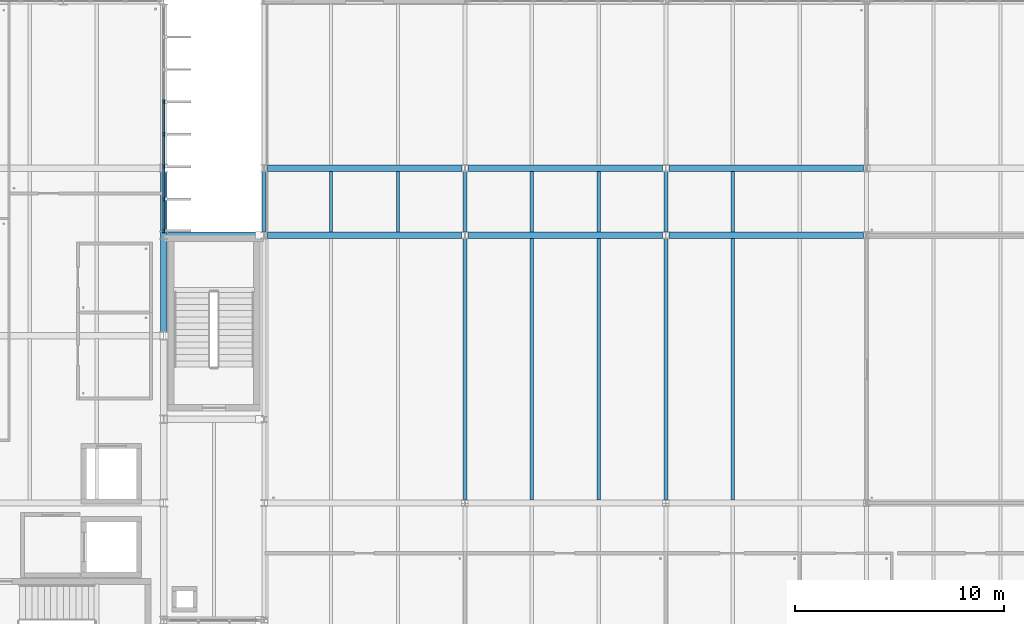
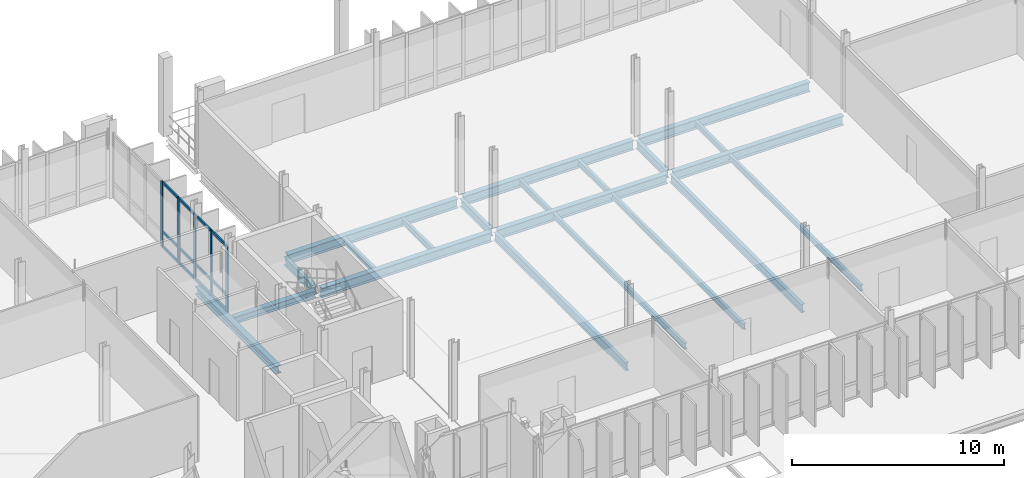
# One storey, part 21 of 107: 21 beams, 17 members, 1 element without a shape of its own.
"""IFC4 building model written with IfcOpenShell, lengths in metres."""

from ifc_helpers import new_model, si_unit, direction, frame, origin, origin_2d, place, context, subcontext, project, spatial, rectangle, i_section, extrude, material, material_profile, profile_set, type_object, element, aggregate, save


model = new_model("IFC4")

# Units and contexts
model_context = context("Model", 3, precision=1e-05, world=origin(), true_north=direction((0.0, 1.0)))
body_context = subcontext(model_context, "Body", "Model", "MODEL_VIEW")
ifc_project = project(units=[si_unit("LENGTHUNIT", "METRE"), si_unit("AREAUNIT", "SQUARE_METRE"), si_unit("VOLUMEUNIT", "CUBIC_METRE"), si_unit("PLANEANGLEUNIT", "RADIAN"), si_unit("MASSUNIT", "GRAM", prefix="KILO")], contexts=[model_context])

# Site, building, storey
site_placement = place(None, origin())
site = spatial("IfcSite", under=ifc_project, at=site_placement, CompositionType="ELEMENT")
building_placement = place(site_placement, origin())
building = spatial("IfcBuilding", under=site, at=building_placement, Name="Dunescarp Central Library", CompositionType="ELEMENT")
storey_placement = place(building_placement, frame((0.0, 0.0, 5.10009765625)))
storey = spatial("IfcBuildingStorey", under=building, at=storey_placement, Name="L01", CompositionType="ELEMENT", Elevation=5.10009765625)

# Curtain wall, members
ifc_material_1 = material(Name="Marine-grade anodised aluminium 6063-T6", Category="aluminium")
curtain_wall_type = type_object("IfcCurtainWallType", Name="ARC-CW-STICK", PredefinedType="NOTDEFINED", material=ifc_material_1)
curtain_wall_placement = place(storey_placement, origin())
curtain_wall = element("IfcCurtainWall", 1, at=curtain_wall_placement, inside=storey, type_object=curtain_wall_type, Name="L01 curtain wall CW-V1-011", PredefinedType="NOTDEFINED")
ifc_material_profile_1 = material_profile(ifc_material_1, rectangle(XDim=0.080078125, YDim=0.179931640625, at=origin_2d()), Name="AL 80x180")
ifc_profile_set_1 = profile_set([ifc_material_profile_1], Name="Marine-grade anodised aluminium 6063-T6")
member_type_1 = type_object("IfcMemberType", Name="ARC-CWM-180", PredefinedType="MULLION", material=ifc_profile_set_1)
member_1_placement = place(storey_placement, frame((33.60009765625, 31.97509765625, 0.0), z_axis=(0.0, 0.0, 1.0), x_axis=(1.0, 0.0, 0.0)))
member_1 = element("IfcMember", 2, at=member_1_placement, type_object=member_type_1, Name="CW-V1-011 mullion 4", PredefinedType="MULLION", context=body_context, shape_type="SweptSolid", body=[
    extrude(rectangle(XDim=0.080078125, YDim=0.179931640625, at=origin_2d()), origin(), (0.0, 0.0, 1.0), 3.764892578125),
])
member_2_placement = place(storey_placement, frame((33.60009765625, 30.425048828125, 0.0), z_axis=(0.0, 0.0, 1.0), x_axis=(1.0, 0.0, 0.0)))
member_2 = element("IfcMember", 3, at=member_2_placement, type_object=member_type_1, Name="CW-V1-011 mullion 5", PredefinedType="MULLION", context=body_context, shape_type="SweptSolid", body=[
    extrude(rectangle(XDim=0.080078125, YDim=0.179931640625, at=origin_2d()), origin(), (0.0, 0.0, 1.0), 3.764892578125),
])
member_3_placement = place(storey_placement, frame((33.60009765625, 28.875, 0.0), z_axis=(0.0, 0.0, 1.0), x_axis=(1.0, 0.0, 0.0)))
member_3 = element("IfcMember", 4, at=member_3_placement, type_object=member_type_1, Name="CW-V1-011 mullion 6", PredefinedType="MULLION", context=body_context, shape_type="SweptSolid", body=[
    extrude(rectangle(XDim=0.080078125, YDim=0.179931640625, at=origin_2d()), origin(), (0.0, 0.0, 1.0), 3.764892578125),
])
member_4_placement = place(storey_placement, frame((33.60009765625, 27.324951171875, 0.0), z_axis=(0.0, 0.0, 1.0), x_axis=(1.0, 0.0, 0.0)))
member_4 = element("IfcMember", 5, at=member_4_placement, type_object=member_type_1, Name="CW-V1-011 mullion 7", PredefinedType="MULLION", context=body_context, shape_type="SweptSolid", body=[
    extrude(rectangle(XDim=0.080078125, YDim=0.179931640625, at=origin_2d()), origin(), (0.0, 0.0, 1.0), 3.764892578125),
])
member_5_placement = place(storey_placement, frame((33.60009765625, 25.81494140625, 0.0), z_axis=(0.0, 0.0, 1.0), x_axis=(1.0, 0.0, 0.0)))
member_5 = element("IfcMember", 6, at=member_5_placement, type_object=member_type_1, Name="CW-V1-011 mullion 8", PredefinedType="MULLION", context=body_context, shape_type="SweptSolid", body=[
    extrude(rectangle(XDim=0.080078125, YDim=0.179931640625, at=origin_2d()), origin(), (0.0, 0.0, 1.0), 3.764892578125),
])
ifc_material_profile_2 = material_profile(ifc_material_1, rectangle(XDim=0.080078125, YDim=0.14990234375, at=origin_2d()), Name="AL 80x150")
ifc_profile_set_2 = profile_set([ifc_material_profile_2], Name="Marine-grade anodised aluminium 6063-T6")
member_type_2 = type_object("IfcMemberType", Name="ARC-CWT-150", PredefinedType="USERDEFINED", material=ifc_profile_set_2)
member_6_placement = place(storey_placement, frame((33.60009765625, 31.93505859375, 0.039794921875), z_axis=(0.0, -1.0, 0.0), x_axis=(1.0, 0.0, 0.0)))
member_6 = element("IfcMember", 7, at=member_6_placement, type_object=member_type_2, Name="CW-V1-011 transom 4.1", ObjectType="TRANSOM", PredefinedType="USERDEFINED", context=body_context, shape_type="SweptSolid", body=[
    extrude(rectangle(XDim=0.080078125, YDim=0.14990234375, at=origin_2d()), origin(), (0.0, 0.0, 1.0), 1.469970703125),
])
member_7_placement = place(storey_placement, frame((33.60009765625, 31.93505859375, 0.89990234375), z_axis=(0.0, -1.0, 0.0), x_axis=(1.0, 0.0, 0.0)))
member_7 = element("IfcMember", 8, at=member_7_placement, type_object=member_type_2, Name="CW-V1-011 transom 4.2", ObjectType="TRANSOM", PredefinedType="USERDEFINED", context=body_context, shape_type="SweptSolid", body=[
    extrude(rectangle(XDim=0.080078125, YDim=0.14990234375, at=origin_2d()), origin(), (0.0, 0.0, 1.0), 1.469970703125),
])
member_8_placement = place(storey_placement, frame((33.60009765625, 31.93505859375, 3.724853515625), z_axis=(0.0, -1.0, 0.0), x_axis=(1.0, 0.0, 0.0)))
member_8 = element("IfcMember", 9, at=member_8_placement, type_object=member_type_2, Name="CW-V1-011 transom 4.3", ObjectType="TRANSOM", PredefinedType="USERDEFINED", context=body_context, shape_type="SweptSolid", body=[
    extrude(rectangle(XDim=0.080078125, YDim=0.14990234375, at=origin_2d()), origin(), (0.0, 0.0, 1.0), 1.469970703125),
])
member_9_placement = place(storey_placement, frame((33.60009765625, 30.385009765625, 0.039794921875), z_axis=(0.0, -1.0, 0.0), x_axis=(1.0, 0.0, 0.0)))
member_9 = element("IfcMember", 10, at=member_9_placement, type_object=member_type_2, Name="CW-V1-011 transom 5.1", ObjectType="TRANSOM", PredefinedType="USERDEFINED", context=body_context, shape_type="SweptSolid", body=[
    extrude(rectangle(XDim=0.080078125, YDim=0.14990234375, at=origin_2d()), origin(), (0.0, 0.0, 1.0), 1.469970703125),
])
member_10_placement = place(storey_placement, frame((33.60009765625, 30.385009765625, 0.89990234375), z_axis=(0.0, -1.0, 0.0), x_axis=(1.0, 0.0, 0.0)))
member_10 = element("IfcMember", 11, at=member_10_placement, type_object=member_type_2, Name="CW-V1-011 transom 5.2", ObjectType="TRANSOM", PredefinedType="USERDEFINED", context=body_context, shape_type="SweptSolid", body=[
    extrude(rectangle(XDim=0.080078125, YDim=0.14990234375, at=origin_2d()), origin(), (0.0, 0.0, 1.0), 1.469970703125),
])
member_11_placement = place(storey_placement, frame((33.60009765625, 30.385009765625, 3.724853515625), z_axis=(0.0, -1.0, 0.0), x_axis=(1.0, 0.0, 0.0)))
member_11 = element("IfcMember", 12, at=member_11_placement, type_object=member_type_2, Name="CW-V1-011 transom 5.3", ObjectType="TRANSOM", PredefinedType="USERDEFINED", context=body_context, shape_type="SweptSolid", body=[
    extrude(rectangle(XDim=0.080078125, YDim=0.14990234375, at=origin_2d()), origin(), (0.0, 0.0, 1.0), 1.469970703125),
])
member_12_placement = place(storey_placement, frame((33.60009765625, 28.8349609375, 0.039794921875), z_axis=(0.0, -1.0, 0.0), x_axis=(1.0, 0.0, 0.0)))
member_12 = element("IfcMember", 13, at=member_12_placement, type_object=member_type_2, Name="CW-V1-011 transom 6.1", ObjectType="TRANSOM", PredefinedType="USERDEFINED", context=body_context, shape_type="SweptSolid", body=[
    extrude(rectangle(XDim=0.080078125, YDim=0.14990234375, at=origin_2d()), origin(), (0.0, 0.0, 1.0), 1.469970703125),
])
member_13_placement = place(storey_placement, frame((33.60009765625, 28.8349609375, 0.89990234375), z_axis=(0.0, -1.0, 0.0), x_axis=(1.0, 0.0, 0.0)))
member_13 = element("IfcMember", 14, at=member_13_placement, type_object=member_type_2, Name="CW-V1-011 transom 6.2", ObjectType="TRANSOM", PredefinedType="USERDEFINED", context=body_context, shape_type="SweptSolid", body=[
    extrude(rectangle(XDim=0.080078125, YDim=0.14990234375, at=origin_2d()), origin(), (0.0, 0.0, 1.0), 1.469970703125),
])
member_14_placement = place(storey_placement, frame((33.60009765625, 28.8349609375, 3.724853515625), z_axis=(0.0, -1.0, 0.0), x_axis=(1.0, 0.0, 0.0)))
member_14 = element("IfcMember", 15, at=member_14_placement, type_object=member_type_2, Name="CW-V1-011 transom 6.3", ObjectType="TRANSOM", PredefinedType="USERDEFINED", context=body_context, shape_type="SweptSolid", body=[
    extrude(rectangle(XDim=0.080078125, YDim=0.14990234375, at=origin_2d()), origin(), (0.0, 0.0, 1.0), 1.469970703125),
])
member_15_placement = place(storey_placement, frame((33.60009765625, 27.284912109375, 0.039794921875), z_axis=(0.0, -1.0, 0.0), x_axis=(1.0, 0.0, 0.0)))
member_15 = element("IfcMember", 16, at=member_15_placement, type_object=member_type_2, Name="CW-V1-011 transom 7.1", ObjectType="TRANSOM", PredefinedType="USERDEFINED", context=body_context, shape_type="SweptSolid", body=[
    extrude(rectangle(XDim=0.080078125, YDim=0.14990234375, at=origin_2d()), origin(), (0.0, 0.0, 1.0), 1.429931640625),
])
member_16_placement = place(storey_placement, frame((33.60009765625, 27.284912109375, 0.89990234375), z_axis=(0.0, -1.0, 0.0), x_axis=(1.0, 0.0, 0.0)))
member_16 = element("IfcMember", 17, at=member_16_placement, type_object=member_type_2, Name="CW-V1-011 transom 7.2", ObjectType="TRANSOM", PredefinedType="USERDEFINED", context=body_context, shape_type="SweptSolid", body=[
    extrude(rectangle(XDim=0.080078125, YDim=0.14990234375, at=origin_2d()), origin(), (0.0, 0.0, 1.0), 1.429931640625),
])
member_17_placement = place(storey_placement, frame((33.60009765625, 27.284912109375, 3.724853515625), z_axis=(0.0, -1.0, 0.0), x_axis=(1.0, 0.0, 0.0)))
member_17 = element("IfcMember", 18, at=member_17_placement, type_object=member_type_2, Name="CW-V1-011 transom 7.3", ObjectType="TRANSOM", PredefinedType="USERDEFINED", context=body_context, shape_type="SweptSolid", body=[
    extrude(rectangle(XDim=0.080078125, YDim=0.14990234375, at=origin_2d()), origin(), (0.0, 0.0, 1.0), 1.429931640625),
])
aggregate(curtain_wall, [member_1, member_2, member_3, member_4, member_5, member_6, member_7, member_8, member_9, member_10, member_11, member_12, member_13, member_14, member_15, member_16, member_17])

# Beams
ifc_material_2 = material(Name="Steel S355JR", Category="steel")
ifc_material_profile_3 = material_profile(ifc_material_2, i_section(OverallWidth=0.300048828125, OverallDepth=0.389892578125, WebThickness=0.010986328125, FlangeThickness=0.01904296875, at=origin_2d()), Name="HEA 400")
ifc_profile_set_3 = profile_set([ifc_material_profile_3], Name="Steel S355JR")
beam_type_1 = type_object("IfcBeamType", Name="STR-BM-HEA400", PredefinedType="BEAM", material=ifc_profile_set_3)
beam_1_placement = place(storey_placement, frame((33.783935546875, 25.60009765625, -0.4150390625), z_axis=(1.0, 0.0, 0.0), x_axis=(0.0, 1.0, 0.0)))
element("IfcBeam", 19, at=beam_1_placement, inside=storey, type_object=beam_type_1, Name="L01 girder BM-L01-1218", PredefinedType="BEAM", context=body_context, shape_type="SweptSolid", body=[
    extrude(i_section(OverallWidth=0.300048828125, OverallDepth=0.389892578125, WebThickness=0.010986328125, FlangeThickness=0.01904296875, at=origin_2d()), origin(), (0.0, 0.0, 1.0), 4.462158203125),
])
ifc_material_profile_4 = material_profile(ifc_material_2, i_section(OverallWidth=0.300048828125, OverallDepth=0.449951171875, WebThickness=0.013916015625, FlangeThickness=0.02587890625, at=origin_2d()), Name="HEB 450")
ifc_profile_set_4 = profile_set([ifc_material_profile_4], Name="Steel S355JR")
beam_type_2 = type_object("IfcBeamType", Name="STR-BM-HEB450", PredefinedType="BEAM", material=ifc_profile_set_4)
beam_2_placement = place(storey_placement, frame((33.60009765625, 20.98388671875, -0.445068359375), z_axis=(0.0, 1.0, 0.0), x_axis=(-1.0, 0.0, 0.0)))
element("IfcBeam", 20, at=beam_2_placement, inside=storey, type_object=beam_type_2, Name="L01 girder BM-L01-0049", PredefinedType="BEAM", context=body_context, shape_type="SweptSolid", body=[
    extrude(i_section(OverallWidth=0.300048828125, OverallDepth=0.449951171875, WebThickness=0.013916015625, FlangeThickness=0.02587890625, at=origin_2d()), origin(), (0.0, 0.0, 1.0), 7.632080078125),
])
ifc_material_profile_5 = material_profile(ifc_material_2, i_section(OverallWidth=0.19287109375, OverallDepth=0.46728515625, WebThickness=0.011474609375, FlangeThickness=0.01953125, at=origin_2d()), Name="UB 457x191x98")
ifc_profile_set_5 = profile_set([ifc_material_profile_5], Name="Steel S355JR")
beam_type_3 = type_object("IfcBeamType", Name="STR-BM-IPE450", PredefinedType="BEAM", material=ifc_profile_set_5)
beam_3_placement = place(storey_placement, frame((48.0, 12.967041015625, -0.4541015625), z_axis=(0.0, 1.0, 0.0), x_axis=(-1.0, 0.0, 0.0)))
element("IfcBeam", 21, at=beam_3_placement, inside=storey, type_object=beam_type_3, Name="L01 girder BM-L01-0339", PredefinedType="BEAM", context=body_context, shape_type="SweptSolid", body=[
    extrude(i_section(OverallWidth=0.19287109375, OverallDepth=0.46728515625, WebThickness=0.011474609375, FlangeThickness=0.01953125, at=origin_2d()), origin(), (0.0, 0.0, 1.0), 12.466064453125),
])
for number, where, z_axis, x_axis, name in (
    (22, (38.39990234375, 25.76708984375, -0.4541015625), (0.0, 1.0, 0.0), (-1.0, 0.0, 0.0), "L01 girder BM-L01-0343"),
    (23, (48.0, 25.76708984375, -0.4541015625), (0.0, 1.0, 0.0), (-1.0, 0.0, 0.0), "L01 girder BM-L01-0344"),
):
    element("IfcBeam", number, at=place(storey_placement, frame(where, z_axis=z_axis, x_axis=x_axis)), inside=storey, type_object=beam_type_3, Name=name, PredefinedType="BEAM", context=body_context, shape_type="SweptSolid", body=[
        extrude(i_section(OverallWidth=0.19287109375, OverallDepth=0.46728515625, WebThickness=0.011474609375, FlangeThickness=0.01953125, at=origin_2d()), origin(), (0.0, 0.0, 1.0), 2.871826171875),
    ])
beam_4_placement = place(storey_placement, frame((57.60009765625, 12.967041015625, -0.4541015625), z_axis=(0.0, 1.0, 0.0), x_axis=(-1.0, 0.0, 0.0)))
element("IfcBeam", 24, at=beam_4_placement, inside=storey, type_object=beam_type_3, Name="L01 girder BM-L01-0358", PredefinedType="BEAM", context=body_context, shape_type="SweptSolid", body=[
    extrude(i_section(OverallWidth=0.19287109375, OverallDepth=0.46728515625, WebThickness=0.011474609375, FlangeThickness=0.01953125, at=origin_2d()), origin(), (0.0, 0.0, 1.0), 12.466064453125),
])
beam_5_placement = place(storey_placement, frame((57.60009765625, 25.76708984375, -0.4541015625), z_axis=(0.0, 1.0, 0.0), x_axis=(-1.0, 0.0, 0.0)))
element("IfcBeam", 25, at=beam_5_placement, inside=storey, type_object=beam_type_3, Name="L01 girder BM-L01-0362", PredefinedType="BEAM", context=body_context, shape_type="SweptSolid", body=[
    extrude(i_section(OverallWidth=0.19287109375, OverallDepth=0.46728515625, WebThickness=0.011474609375, FlangeThickness=0.01953125, at=origin_2d()), origin(), (0.0, 0.0, 1.0), 2.871826171875),
])
ifc_material_profile_6 = material_profile(ifc_material_2, i_section(OverallWidth=0.300048828125, OverallDepth=0.5400390625, WebThickness=0.012451171875, FlangeThickness=0.02392578125, at=origin_2d()), Name="HEA 550")
ifc_profile_set_6 = profile_set([ifc_material_profile_6], Name="Steel S355JR")
beam_type_4 = type_object("IfcBeamType", Name="STR-BM-IPE500", PredefinedType="BEAM", material=ifc_profile_set_6)
beam_6_placement = place(storey_placement, frame((38.553955078125, 25.60009765625, -0.489990234375), z_axis=(1.0, 0.0, 0.0), x_axis=(0.0, 1.0, 0.0)))
element("IfcBeam", 26, at=beam_6_placement, inside=storey, type_object=beam_type_4, Name="L01 girder BM-L01-0337", PredefinedType="BEAM", context=body_context, shape_type="SweptSolid", body=[
    extrude(i_section(OverallWidth=0.300048828125, OverallDepth=0.5400390625, WebThickness=0.012451171875, FlangeThickness=0.02392578125, at=origin_2d()), origin(), (0.0, 0.0, 1.0), 9.2919921875),
])
beam_7_placement = place(storey_placement, frame((38.552978515625, 28.800048828125, -0.489990234375), z_axis=(1.0, 0.0, 0.0), x_axis=(0.0, 1.0, 0.0)))
element("IfcBeam", 27, at=beam_7_placement, inside=storey, type_object=beam_type_4, Name="L01 girder BM-L01-0342", PredefinedType="BEAM", context=body_context, shape_type="SweptSolid", body=[
    extrude(i_section(OverallWidth=0.300048828125, OverallDepth=0.5400390625, WebThickness=0.012451171875, FlangeThickness=0.02392578125, at=origin_2d()), origin(), (0.0, 0.0, 1.0), 9.2939453125),
])
beam_8_placement = place(storey_placement, frame((48.154052734375, 25.60009765625, -0.489990234375), z_axis=(1.0, 0.0, 0.0), x_axis=(0.0, 1.0, 0.0)))
element("IfcBeam", 28, at=beam_8_placement, inside=storey, type_object=beam_type_4, Name="L01 girder BM-L01-0357", PredefinedType="BEAM", context=body_context, shape_type="SweptSolid", body=[
    extrude(i_section(OverallWidth=0.300048828125, OverallDepth=0.5400390625, WebThickness=0.012451171875, FlangeThickness=0.02392578125, at=origin_2d()), origin(), (0.0, 0.0, 1.0), 9.2919921875),
])
beam_9_placement = place(storey_placement, frame((48.153076171875, 28.800048828125, -0.489990234375), z_axis=(1.0, 0.0, 0.0), x_axis=(0.0, 1.0, 0.0)))
element("IfcBeam", 29, at=beam_9_placement, inside=storey, type_object=beam_type_4, Name="L01 girder BM-L01-0361", PredefinedType="BEAM", context=body_context, shape_type="SweptSolid", body=[
    extrude(i_section(OverallWidth=0.300048828125, OverallDepth=0.5400390625, WebThickness=0.012451171875, FlangeThickness=0.02392578125, at=origin_2d()), origin(), (0.0, 0.0, 1.0), 9.2939453125),
])
beam_10_placement = place(storey_placement, frame((57.75390625, 25.60009765625, -0.489990234375), z_axis=(1.0, 0.0, 0.0), x_axis=(0.0, 1.0, 0.0)))
element("IfcBeam", 30, at=beam_10_placement, inside=storey, type_object=beam_type_4, Name="L01 girder BM-L01-0374", PredefinedType="BEAM", context=body_context, shape_type="SweptSolid", body=[
    extrude(i_section(OverallWidth=0.300048828125, OverallDepth=0.5400390625, WebThickness=0.012451171875, FlangeThickness=0.02392578125, at=origin_2d()), origin(), (0.0, 0.0, 1.0), 9.2919921875),
])
beam_11_placement = place(storey_placement, frame((57.7529296875, 28.800048828125, -0.489990234375), z_axis=(1.0, 0.0, 0.0), x_axis=(0.0, 1.0, 0.0)))
element("IfcBeam", 31, at=beam_11_placement, inside=storey, type_object=beam_type_4, Name="L01 girder BM-L01-0378", PredefinedType="BEAM", context=body_context, shape_type="SweptSolid", body=[
    extrude(i_section(OverallWidth=0.300048828125, OverallDepth=0.5400390625, WebThickness=0.012451171875, FlangeThickness=0.02392578125, at=origin_2d()), origin(), (0.0, 0.0, 1.0), 9.294189453125),
])
ifc_material_profile_7 = material_profile(ifc_material_2, i_section(OverallWidth=0.159912109375, OverallDepth=0.330078125, WebThickness=0.007568359375, FlangeThickness=0.011474609375, at=origin_2d()), Name="IPE 330")
ifc_profile_set_7 = profile_set([ifc_material_profile_7], Name="Steel S355JR")
beam_type_5 = type_object("IfcBeamType", Name="STR-JS-IPE330", PredefinedType="JOIST", material=ifc_profile_set_7)
for number, where, z_axis, x_axis, name in (
    (32, (41.60009765625, 25.748046875, -0.385009765625), (0.0, 1.0, 0.0), (-1.0, 0.0, 0.0), "L01 joist JS-L01-0345"),
    (33, (44.800048828125, 25.748046875, -0.385009765625), (0.0, 1.0, 0.0), (-1.0, 0.0, 0.0), "L01 joist JS-L01-0346"),
):
    element("IfcBeam", number, at=place(storey_placement, frame(where, z_axis=z_axis, x_axis=x_axis)), inside=storey, type_object=beam_type_5, Name=name, PredefinedType="JOIST", context=body_context, shape_type="SweptSolid", body=[
        extrude(i_section(OverallWidth=0.159912109375, OverallDepth=0.330078125, WebThickness=0.007568359375, FlangeThickness=0.011474609375, at=origin_2d()), origin(), (0.0, 0.0, 1.0), 2.904052734375),
    ])
for number, where, z_axis, x_axis, name in (
    (34, (51.199951171875, 12.947998046875, -0.385009765625), (0.0, 1.0, 0.0), (-1.0, 0.0, 0.0), "L01 joist JS-L01-0359"),
    (35, (54.39990234375, 12.947998046875, -0.385009765625), (0.0, 1.0, 0.0), (-1.0, 0.0, 0.0), "L01 joist JS-L01-0360"),
):
    element("IfcBeam", number, at=place(storey_placement, frame(where, z_axis=z_axis, x_axis=x_axis)), inside=storey, type_object=beam_type_5, Name=name, PredefinedType="JOIST", context=body_context, shape_type="SweptSolid", body=[
        extrude(i_section(OverallWidth=0.159912109375, OverallDepth=0.330078125, WebThickness=0.007568359375, FlangeThickness=0.011474609375, at=origin_2d()), origin(), (0.0, 0.0, 1.0), 12.50390625),
    ])
for number, where, z_axis, x_axis, name in (
    (36, (51.199951171875, 25.748046875, -0.385009765625), (0.0, 1.0, 0.0), (-1.0, 0.0, 0.0), "L01 joist JS-L01-0363"),
    (37, (54.39990234375, 25.748046875, -0.385009765625), (0.0, 1.0, 0.0), (-1.0, 0.0, 0.0), "L01 joist JS-L01-0364"),
):
    element("IfcBeam", number, at=place(storey_placement, frame(where, z_axis=z_axis, x_axis=x_axis)), inside=storey, type_object=beam_type_5, Name=name, PredefinedType="JOIST", context=body_context, shape_type="SweptSolid", body=[
        extrude(i_section(OverallWidth=0.159912109375, OverallDepth=0.330078125, WebThickness=0.007568359375, FlangeThickness=0.011474609375, at=origin_2d()), origin(), (0.0, 0.0, 1.0), 2.904052734375),
    ])
beam_12_placement = place(storey_placement, frame((60.800048828125, 12.947998046875, -0.385009765625), z_axis=(0.0, 1.0, 0.0), x_axis=(-1.0, 0.0, 0.0)))
element("IfcBeam", 38, at=beam_12_placement, inside=storey, type_object=beam_type_5, Name="L01 joist JS-L01-0376", PredefinedType="JOIST", context=body_context, shape_type="SweptSolid", body=[
    extrude(i_section(OverallWidth=0.159912109375, OverallDepth=0.330078125, WebThickness=0.007568359375, FlangeThickness=0.011474609375, at=origin_2d()), origin(), (0.0, 0.0, 1.0), 12.50390625),
])
beam_13_placement = place(storey_placement, frame((60.800048828125, 25.748046875, -0.385009765625), z_axis=(0.0, 1.0, 0.0), x_axis=(-1.0, 0.0, 0.0)))
element("IfcBeam", 39, at=beam_13_placement, inside=storey, type_object=beam_type_5, Name="L01 joist JS-L01-0380", PredefinedType="JOIST", context=body_context, shape_type="SweptSolid", body=[
    extrude(i_section(OverallWidth=0.159912109375, OverallDepth=0.330078125, WebThickness=0.007568359375, FlangeThickness=0.011474609375, at=origin_2d()), origin(), (0.0, 0.0, 1.0), 2.904052734375),
])

save(model, "model.ifc")
